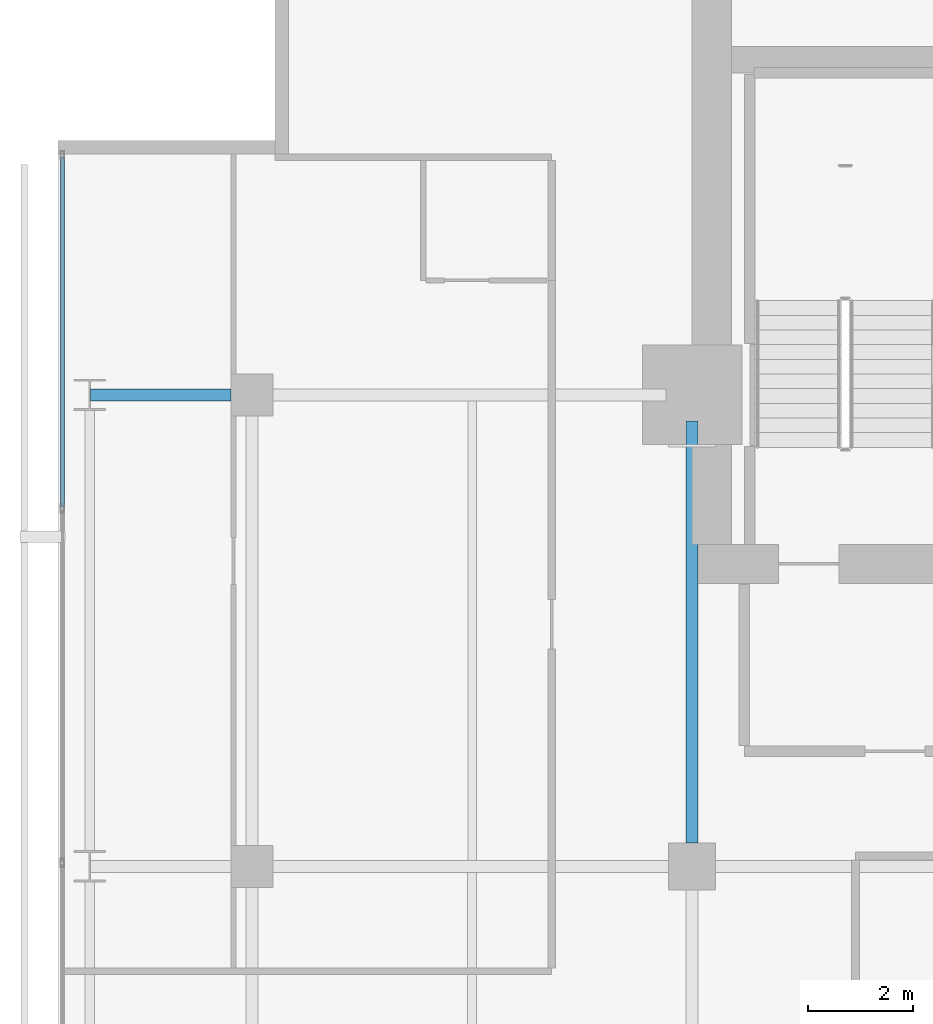
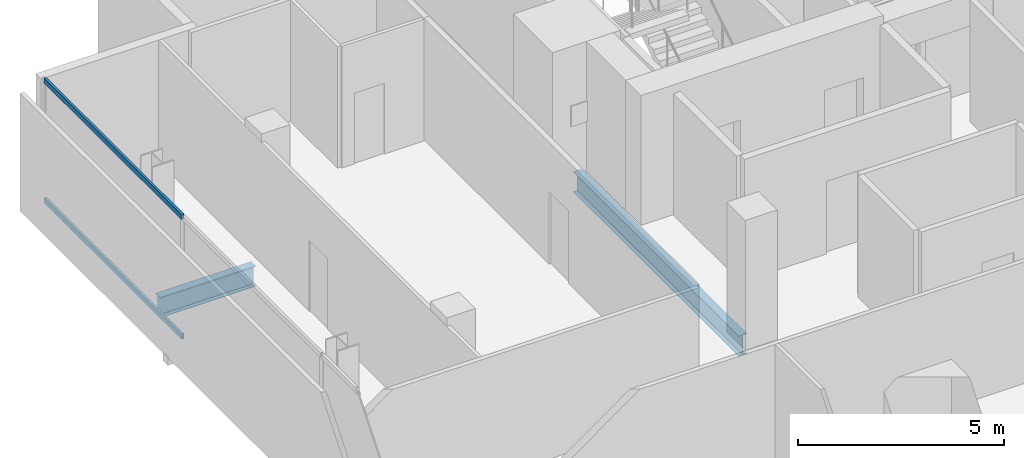
# One storey, part 19 of 33: 2 beams, 2 members, 1 element without a shape of its own.
"""IFC4 building model written with IfcOpenShell, lengths in metres."""

from ifc_helpers import new_model, si_unit, direction, frame, origin, origin_2d, place, context, subcontext, project, spatial, hollow_rectangle, i_section, extrude, material, layer, layer_set, material_profile, profile_set, type_object, element, aggregate, save


model = new_model("IFC4")

# Units and contexts
model_context = context("Model", 3, precision=1e-05, world=origin(), true_north=direction((0.0, 1.0)))
body_context = subcontext(model_context, "Body", "Model", "MODEL_VIEW")
ifc_project = project(units=[si_unit("LENGTHUNIT", "METRE"), si_unit("AREAUNIT", "SQUARE_METRE"), si_unit("VOLUMEUNIT", "CUBIC_METRE"), si_unit("PLANEANGLEUNIT", "RADIAN"), si_unit("MASSUNIT", "GRAM", prefix="KILO")], contexts=[model_context])

# Site, building, storey
site_placement = place(None, origin())
site = spatial("IfcSite", under=ifc_project, at=site_placement, CompositionType="ELEMENT")
building_placement = place(site_placement, origin())
building = spatial("IfcBuilding", under=site, at=building_placement, Name="Maruvema Waterfront Hotel and Observation Tower", CompositionType="ELEMENT")
storey_placement = place(building_placement, frame((0.0, 0.0, 169.75)))
storey = spatial("IfcBuildingStorey", under=building, at=storey_placement, Name="L41", CompositionType="ELEMENT", Elevation=169.75)

# Curtain wall, members
ifc_material_1 = material(Name="Anodised bronze aluminium and solar-control low-E IGU", Category="aluminium")
ifc_layer = layer(ifc_material_1, 0.159912109375, Name="Zone 2 Amber Inner Thermal Curtain Wall System CW-03")
ifc_layer_set = layer_set([ifc_layer], Name="Anodised bronze aluminium and solar-control low-E IGU")
curtain_wall_type = type_object("IfcCurtainWallType", Name="Zone 2 Amber Inner Thermal Curtain Wall System CW-03", PredefinedType="USERDEFINED", material=ifc_layer_set)
curtain_wall_placement = place(storey_placement, origin())
curtain_wall = element("IfcCurtainWall", 1, at=curtain_wall_placement, inside=storey, type_object=curtain_wall_type, Name="L41 Curtain Wall CW-L41-W", ObjectType="UNITISED CURTAIN WALL", PredefinedType="USERDEFINED")
ifc_material_2 = material(Name="Anodised architectural bronze aluminium", Category="aluminium")
ifc_material_profile_1 = material_profile(ifc_material_2, hollow_rectangle(XDim=0.070068359375, YDim=0.14990234375, WallThickness=0.00390625, at=origin_2d()), Name="ALU-T70x150")
ifc_profile_set_1 = profile_set([ifc_material_profile_1], Name="Anodised architectural bronze aluminium")
member_type = type_object("IfcMemberType", Name="Curtain Wall Horizontal Transom ALU-T70x150", PredefinedType="USERDEFINED", material=ifc_profile_set_1)
member_1_placement = place(storey_placement, frame((13.179931640625, 49.5400390625, 0.030029296875), z_axis=(0.0, -1.0, 0.0), x_axis=(1.0, 0.0, 0.0)))
member_1 = element("IfcMember", 2, at=member_1_placement, type_object=member_type, Name="CW-03 transom 1.1", ObjectType="TRANSOM", PredefinedType="USERDEFINED", context=body_context, shape_type="SweptSolid", body=[
    extrude(hollow_rectangle(XDim=0.070068359375, YDim=0.14990234375, WallThickness=0.00390625, at=origin_2d()), origin(), (0.0, 0.0, 1.0), 6.6767578125),
])
member_2_placement = place(storey_placement, frame((13.179931640625, 49.5400390625, 3.580078125), z_axis=(0.0, -1.0, 0.0), x_axis=(1.0, 0.0, 0.0)))
member_2 = element("IfcMember", 3, at=member_2_placement, type_object=member_type, Name="CW-03 transom 1.2", ObjectType="TRANSOM", PredefinedType="USERDEFINED", context=body_context, shape_type="SweptSolid", body=[
    extrude(hollow_rectangle(XDim=0.070068359375, YDim=0.14990234375, WallThickness=0.00390625, at=origin_2d()), origin(), (0.0, 0.0, 1.0), 6.6767578125),
])
aggregate(curtain_wall, [member_1, member_2])

# Beams
ifc_material_3 = material(Name="Steel ASTM A572 Grade 50", Category="steel")
ifc_material_profile_2 = material_profile(ifc_material_3, i_section(OverallWidth=0.22802734375, OverallDepth=0.60302734375, WebThickness=0.010498046875, FlangeThickness=0.014892578125, FilletRadius=0.01806640625, at=origin_2d()), Name="W610x101.0")
ifc_profile_set_2 = profile_set([ifc_material_profile_2], Name="Steel ASTM A572 Grade 50")
beam_type = type_object("IfcBeamType", Name="Primary Floor Girder W610x101.0", PredefinedType="BEAM", material=ifc_profile_set_2)
beam_1_placement = place(storey_placement, frame((13.71240234375, 45.0, -0.54150390625), z_axis=(1.0, 0.0, 0.0), x_axis=(0.0, 1.0, 0.0)))
element("IfcBeam", 4, at=beam_1_placement, inside=storey, type_object=beam_type, Name="L41 Floor Girder EW-30", PredefinedType="BEAM", context=body_context, shape_type="SweptSolid", body=[
    extrude(i_section(OverallWidth=0.22802734375, OverallDepth=0.60302734375, WebThickness=0.010498046875, FlangeThickness=0.014892578125, FilletRadius=0.01806640625, at=origin_2d()), origin(), (0.0, 0.0, 1.0), 2.6875),
])
beam_2_placement = place(storey_placement, frame((25.199951171875, 36.449951171875, -0.54150390625), z_axis=(0.0, 1.0, 0.0), x_axis=(-1.0, 0.0, 0.0)))
element("IfcBeam", 5, at=beam_2_placement, inside=storey, type_object=beam_type, Name="L41 Floor Girder NS-13", PredefinedType="BEAM", context=body_context, shape_type="SweptSolid", body=[
    extrude(i_section(OverallWidth=0.22802734375, OverallDepth=0.60302734375, WebThickness=0.010498046875, FlangeThickness=0.014892578125, FilletRadius=0.01806640625, at=origin_2d()), origin(), (0.0, 0.0, 1.0), 8.050048828125),
])

save(model, "model.ifc")
